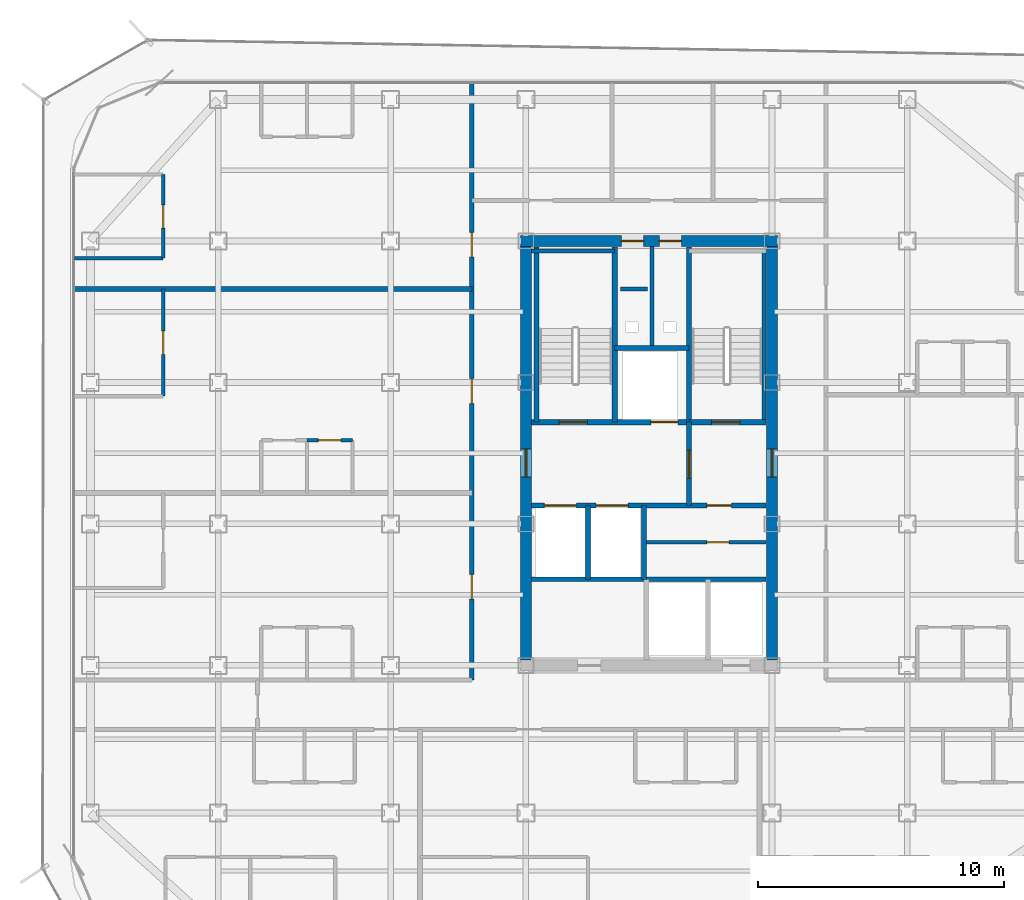
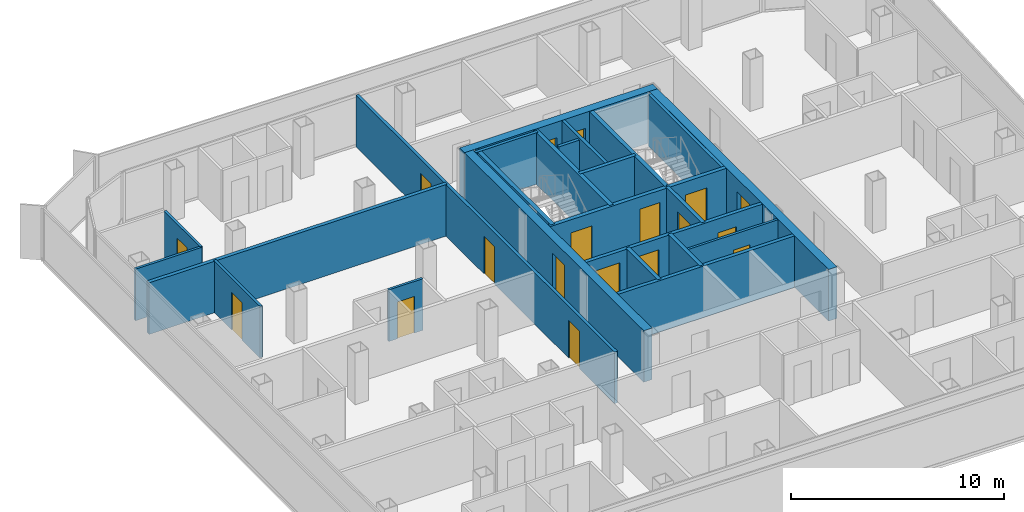
# One storey, part 11 of 16: 25 walls, 18 doors, 18 openings.
"""IFC4 building model written with IfcOpenShell, lengths in metres."""

from ifc_helpers import new_model, si_unit, direction, frame, frame_2d, origin, place, context, subcontext, project, spatial, rectangle, extrude, material, layer, layer_set, type_object, element, fill, save


model = new_model("IFC4")

# Units and contexts
model_context = context("Model", 3, precision=1e-05, world=origin(), true_north=direction((0.0, 1.0)))
body_context = subcontext(model_context, "Body", "Model", "MODEL_VIEW")
ifc_project = project(units=[si_unit("LENGTHUNIT", "METRE"), si_unit("AREAUNIT", "SQUARE_METRE"), si_unit("VOLUMEUNIT", "CUBIC_METRE"), si_unit("PLANEANGLEUNIT", "RADIAN"), si_unit("MASSUNIT", "GRAM", prefix="KILO")], contexts=[model_context])

# Site, building, storey
site_placement = place(None, origin())
site = spatial("IfcSite", under=ifc_project, at=site_placement, CompositionType="ELEMENT")
building_placement = place(site_placement, origin())
building = spatial("IfcBuilding", under=site, at=building_placement, Name="Kolveth Station Tower", CompositionType="ELEMENT")
storey_placement = place(building_placement, frame((0.0, 0.0, 156.10009765625)))
storey = spatial("IfcBuildingStorey", under=building, at=storey_placement, Name="L43", CompositionType="ELEMENT", Elevation=156.10009765625)

# Wall, openings, doors
ifc_material_1 = material(Name="Concrete C50/60", Category="concrete")
ifc_layer_1 = layer(ifc_material_1, 0.449951171875)
ifc_layer_set_1 = layer_set([ifc_layer_1], Name="Concrete C50/60")
wall_type_1 = type_object("IfcWallType", Name="Wall_CW-450", PredefinedType="SHEAR", material=ifc_layer_set_1)
wall_1_placement = place(storey_placement, frame((18.27490234375, 28.75, 0.0), z_axis=(0.0, 0.0, 1.0), x_axis=(1.0, 0.0, 0.0)))
wall_1 = element("IfcWall", 1, at=wall_1_placement, inside=storey, type_object=wall_type_1, Name="L43 Core RC Shear Wall N", PredefinedType="SHEAR", context=body_context, shape_type="SweptSolid", body=[
    extrude(rectangle(XDim=10.4501953125, YDim=0.449951171875, at=frame_2d((5.22509765625, 0.0))), origin(), (0.0, 0.0, 1.0), 2.949951171875),
])
opening_1_placement = place(wall_1_placement, frame((4.10498046875, 0.0, 0.0)))
opening_1 = element("IfcOpeningElement", 2, at=opening_1_placement, cuts=wall_1, Name="Opening RD1", PredefinedType="OPENING", context=body_context, shape_type="SweptSolid", body=[
    extrude(rectangle(XDim=0.89990234375, YDim=2.050048828125, at=frame_2d((0.449951171875, 1.02490234375))), frame((0.0, 0.23486328125, 0.0), z_axis=(0.0, -1.0, 0.0), x_axis=(1.0, 0.0, 0.0)), (0.0, 0.0, 1.0), 0.469970703125),
])
opening_2_placement = place(wall_1_placement, frame((5.64501953125, 0.0, 0.0)))
opening_2 = element("IfcOpeningElement", 3, at=opening_2_placement, cuts=wall_1, Name="Opening RD1", PredefinedType="OPENING", context=body_context, shape_type="SweptSolid", body=[
    extrude(rectangle(XDim=0.89990234375, YDim=2.050048828125, at=frame_2d((0.449951171875, 1.02490234375))), frame((0.0, 0.23486328125, 0.0), z_axis=(0.0, -1.0, 0.0), x_axis=(1.0, 0.0, 0.0)), (0.0, 0.0, 1.0), 0.469970703125),
])
ifc_material_2 = material(Name="Fire-rated Steel S355 riser access leaf", Category="steel")
door_type_1 = type_object("IfcDoorType", Name="Door_RD1", OperationType="NOTDEFINED", PredefinedType="DOOR", material=ifc_material_2)
door_1_placement = place(opening_1_placement, origin())
door_1 = element("IfcDoor", 4, at=door_1_placement, inside=storey, type_object=door_type_1, Name="L43 Electrical Riser Access Door", OperationType="SINGLE_SWING_LEFT", OverallHeight=2.050048828125, OverallWidth=0.89990234375, PredefinedType="DOOR", context=body_context, shape_type="SweptSolid", body=[
    extrude(rectangle(XDim=0.89990234375, YDim=2.050048828125, at=frame_2d((0.449951171875, 1.02490234375))), frame((0.0, 0.02490234375, 0.0), z_axis=(0.0, -1.0, 0.0), x_axis=(1.0, 0.0, 0.0)), (0.0, 0.0, 1.0), 0.050048828125),
])
fill(opening_1, door_1)
door_2_placement = place(opening_2_placement, origin())
door_2 = element("IfcDoor", 5, at=door_2_placement, inside=storey, type_object=door_type_1, Name="L43 Smoke Duct Access Door", OperationType="SINGLE_SWING_RIGHT", OverallHeight=2.050048828125, OverallWidth=0.89990234375, PredefinedType="DOOR", context=body_context, shape_type="SweptSolid", body=[
    extrude(rectangle(XDim=0.89990234375, YDim=2.050048828125, at=frame_2d((0.449951171875, 1.02490234375))), frame((0.0, 0.02490234375, 0.0), z_axis=(0.0, -1.0, 0.0), x_axis=(1.0, 0.0, 0.0)), (0.0, 0.0, 1.0), 0.050048828125),
])
fill(opening_2, door_2)

# Wall, opening, door
wall_2_placement = place(storey_placement, frame((18.5, 11.72509765625, 0.0), z_axis=(0.0, 0.0, 1.0), x_axis=(0.0, 1.0, 0.0)))
wall_2 = element("IfcWall", 6, at=wall_2_placement, inside=storey, type_object=wall_type_1, Name="L43 Core RC Shear Wall W", PredefinedType="SHEAR", context=body_context, shape_type="SweptSolid", body=[
    extrude(rectangle(XDim=16.7998046875, YDim=0.449951171875, at=frame_2d((8.39990234375, 0.0))), origin(), (0.0, 0.0, 1.0), 2.949951171875),
])
opening_3_placement = place(wall_2_placement, frame((7.425048828125, 0.0, 0.0)))
opening_3 = element("IfcOpeningElement", 7, at=opening_3_placement, cuts=wall_2, Name="Opening FD1", PredefinedType="OPENING", context=body_context, shape_type="SweptSolid", body=[
    extrude(rectangle(XDim=1.14990234375, YDim=2.199951171875, at=frame_2d((0.574951171875, 1.10009765625))), frame((0.0, 0.23486328125, 0.0), z_axis=(0.0, -1.0, 0.0), x_axis=(1.0, 0.0, 0.0)), (0.0, 0.0, 1.0), 0.469970703125),
])
ifc_material_3 = material(Name="Fire-rated Steel S355 leaf and frame", Category="steel")
door_type_2 = type_object("IfcDoorType", Name="Door_FD1", OperationType="NOTDEFINED", PredefinedType="DOOR", material=ifc_material_3)
door_3_placement = place(opening_3_placement, frame((1.14990234375, 0.0, 0.0), z_axis=(0.0, 0.0, 1.0), x_axis=(-1.0, 0.0, 0.0)))
door_3 = element("IfcDoor", 8, at=door_3_placement, inside=storey, type_object=door_type_2, Name="L43 West Corridor to Firefighting Lobby Door", OperationType="SINGLE_SWING_LEFT", OverallHeight=2.199951171875, OverallWidth=1.14990234375, PredefinedType="DOOR", context=body_context, shape_type="SweptSolid", body=[
    extrude(rectangle(XDim=1.14990234375, YDim=2.199951171875, at=frame_2d((0.574951171875, 1.10009765625))), frame((0.0, 0.02490234375, 0.0), z_axis=(0.0, -1.0, 0.0), x_axis=(1.0, 0.0, 0.0)), (0.0, 0.0, 1.0), 0.050048828125),
])
fill(opening_3, door_3)

wall_3_placement = place(storey_placement, frame((28.5, 11.72509765625, 0.0), z_axis=(0.0, 0.0, 1.0), x_axis=(0.0, 1.0, 0.0)))
wall_3 = element("IfcWall", 9, at=wall_3_placement, inside=storey, type_object=wall_type_1, Name="L43 Core RC Shear Wall E", PredefinedType="SHEAR", context=body_context, shape_type="SweptSolid", body=[
    extrude(rectangle(XDim=16.7998046875, YDim=0.449951171875, at=frame_2d((8.39990234375, 0.0))), origin(), (0.0, 0.0, 1.0), 2.949951171875),
])
opening_4_placement = place(wall_3_placement, frame((7.425048828125, 0.0, 0.0)))
opening_4 = element("IfcOpeningElement", 10, at=opening_4_placement, cuts=wall_3, Name="Opening FD1", PredefinedType="OPENING", context=body_context, shape_type="SweptSolid", body=[
    extrude(rectangle(XDim=1.14990234375, YDim=2.199951171875, at=frame_2d((0.574951171875, 1.10009765625))), frame((0.0, 0.23486328125, 0.0), z_axis=(0.0, -1.0, 0.0), x_axis=(1.0, 0.0, 0.0)), (0.0, 0.0, 1.0), 0.469970703125),
])
door_4_placement = place(opening_4_placement, origin())
door_4 = element("IfcDoor", 11, at=door_4_placement, inside=storey, type_object=door_type_2, Name="L43 East Corridor to Stair Lobby Door", OperationType="SINGLE_SWING_RIGHT", OverallHeight=2.199951171875, OverallWidth=1.14990234375, PredefinedType="DOOR", context=body_context, shape_type="SweptSolid", body=[
    extrude(rectangle(XDim=1.14990234375, YDim=2.199951171875, at=frame_2d((0.574951171875, 1.10009765625))), frame((0.0, 0.02490234375, 0.0), z_axis=(0.0, -1.0, 0.0), x_axis=(1.0, 0.0, 0.0)), (0.0, 0.0, 1.0), 0.050048828125),
])
fill(opening_4, door_4)

ifc_material_4 = material(Name="Moisture-resistant gypsum partition")
ifc_layer_2 = layer(ifc_material_4, 0.135009765625)
ifc_layer_set_2 = layer_set([ifc_layer_2], Name="Moisture-resistant gypsum partition")
wall_type_2 = type_object("IfcWallType", Name="Wall_IW-135", PredefinedType="PARTITIONING", material=ifc_layer_set_2)
wall_4_placement = place(storey_placement, frame((23.300048828125, 16.5, 0.0), z_axis=(0.0, 0.0, 1.0), x_axis=(1.0, 0.0, 0.0)))
wall_4 = element("IfcWall", 12, at=wall_4_placement, inside=storey, type_object=wall_type_2, Name="L43 Partition Wall WL-L43-CB-H1", PredefinedType="PARTITIONING", context=body_context, shape_type="SweptSolid", body=[
    extrude(rectangle(XDim=4.96484375, YDim=0.135009765625, at=frame_2d((2.482421875, 0.0))), origin(), (0.0, 0.0, 1.0), 2.949951171875),
])
opening_5_placement = place(wall_4_placement, frame((2.550048828125, 0.0, 0.0)))
opening_5 = element("IfcOpeningElement", 13, at=opening_5_placement, cuts=wall_4, Name="Opening RD1", PredefinedType="OPENING", context=body_context, shape_type="SweptSolid", body=[
    extrude(rectangle(XDim=0.89990234375, YDim=2.050048828125, at=frame_2d((0.449951171875, 1.02490234375))), frame((0.0, 0.077392578125, 0.0), z_axis=(0.0, -1.0, 0.0), x_axis=(1.0, 0.0, 0.0)), (0.0, 0.0, 1.0), 0.155029296875),
])
door_5_placement = place(opening_5_placement, frame((0.89990234375, 0.0, 0.0), z_axis=(0.0, 0.0, 1.0), x_axis=(-1.0, 0.0, 0.0)))
door_5 = element("IfcDoor", 14, at=door_5_placement, inside=storey, type_object=door_type_1, Name="L43 Core Equipment Store Door", OperationType="SINGLE_SWING_LEFT", OverallHeight=2.050048828125, OverallWidth=0.89990234375, PredefinedType="DOOR", context=body_context, shape_type="SweptSolid", body=[
    extrude(rectangle(XDim=0.89990234375, YDim=2.050048828125, at=frame_2d((0.449951171875, 1.02490234375))), frame((0.0, 0.02490234375, 0.0), z_axis=(0.0, -1.0, 0.0), x_axis=(1.0, 0.0, 0.0)), (0.0, 0.0, 1.0), 0.050048828125),
])
fill(opening_5, door_5)

wall_5_placement = place(storey_placement, frame((9.60009765625, 20.64990234375, 0.0), z_axis=(0.0, 0.0, 1.0), x_axis=(1.0, 0.0, 0.0)))
wall_5 = element("IfcWall", 15, at=wall_5_placement, inside=storey, type_object=wall_type_2, Name="L43 Partition Wall WL-L43-W2-IBHB", PredefinedType="PARTITIONING", context=body_context, shape_type="SweptSolid", body=[
    extrude(rectangle(XDim=1.849853515625, YDim=0.135009765625, at=frame_2d((0.9248046875, 0.0))), origin(), (0.0, 0.0, 1.0), 2.949951171875),
])
opening_6_placement = place(wall_5_placement, frame((0.465087890625, 0.0, 0.0)))
opening_6 = element("IfcOpeningElement", 16, at=opening_6_placement, cuts=wall_5, Name="Opening ID2", PredefinedType="OPENING", context=body_context, shape_type="SweptSolid", body=[
    extrude(rectangle(XDim=0.919921875, YDim=2.10009765625, at=frame_2d((0.4599609375, 1.050048828125))), frame((0.0, 0.077392578125, 0.0), z_axis=(0.0, -1.0, 0.0), x_axis=(1.0, 0.0, 0.0)), (0.0, 0.0, 1.0), 0.155029296875),
])
ifc_material_5 = material(Name="Moisture-resistant hardwood leaf", Category="wood")
door_type_3 = type_object("IfcDoorType", Name="Door_ID2", OperationType="NOTDEFINED", PredefinedType="DOOR", material=ifc_material_5)
door_6_placement = place(opening_6_placement, origin())
door_6 = element("IfcDoor", 17, at=door_6_placement, inside=storey, type_object=door_type_3, Name="Penthouse Flat L43-W2 Bathroom Door", OperationType="SINGLE_SWING_LEFT", OverallHeight=2.10009765625, OverallWidth=0.919921875, PredefinedType="DOOR", context=body_context, shape_type="SweptSolid", body=[
    extrude(rectangle(XDim=0.919921875, YDim=2.10009765625, at=frame_2d((0.4599609375, 1.050048828125))), frame((0.0, 0.02490234375, 0.0), z_axis=(0.0, -1.0, 0.0), x_axis=(1.0, 0.0, 0.0)), (0.0, 0.0, 1.0), 0.050048828125),
])
fill(opening_6, door_6)

wall_6_placement = place(storey_placement, frame((3.760009765625, 22.444091796875, 0.0), z_axis=(0.0, 0.0, 1.0), x_axis=(0.0, 1.0, 0.0)))
wall_6 = element("IfcWall", 18, at=wall_6_placement, inside=storey, type_object=wall_type_2, Name="L43 Partition Wall WL-L43-W2-BDV1", PredefinedType="PARTITIONING", context=body_context, shape_type="SweptSolid", body=[
    extrude(rectangle(XDim=4.35595703125, YDim=0.135009765625, at=frame_2d((2.177978515625, 0.0))), origin(), (0.0, 0.0, 1.0), 2.949951171875),
])
opening_7_placement = place(wall_6_placement, frame((1.697998046875, 0.0, 0.0)))
opening_7 = element("IfcOpeningElement", 19, at=opening_7_placement, cuts=wall_6, Name="Opening ID1", PredefinedType="OPENING", context=body_context, shape_type="SweptSolid", body=[
    extrude(rectangle(XDim=0.949951171875, YDim=2.14990234375, at=frame_2d((0.47509765625, 1.074951171875))), frame((0.0, 0.077392578125, 0.0), z_axis=(0.0, -1.0, 0.0), x_axis=(1.0, 0.0, 0.0)), (0.0, 0.0, 1.0), 0.155029296875),
])
ifc_material_6 = material(Name="Acoustic hardwood leaf and aluminium frame", Category="wood")
door_type_4 = type_object("IfcDoorType", Name="Door_ID1", OperationType="NOTDEFINED", PredefinedType="DOOR", material=ifc_material_6)
door_7_placement = place(opening_7_placement, origin())
door_7 = element("IfcDoor", 20, at=door_7_placement, inside=storey, type_object=door_type_4, Name="Penthouse Flat L43-W2 Bedroom 1 Door", OperationType="SINGLE_SWING_RIGHT", OverallHeight=2.14990234375, OverallWidth=0.949951171875, PredefinedType="DOOR", context=body_context, shape_type="SweptSolid", body=[
    extrude(rectangle(XDim=0.949951171875, YDim=2.14990234375, at=frame_2d((0.47509765625, 1.074951171875))), frame((0.0, 0.02490234375, 0.0), z_axis=(0.0, -1.0, 0.0), x_axis=(1.0, 0.0, 0.0)), (0.0, 0.0, 1.0), 0.050048828125),
])
fill(opening_7, door_7)

# Wall
wall_7_placement = place(storey_placement, frame((0.159912109375, 28.050048828125, 0.0), z_axis=(0.0, 0.0, 1.0), x_axis=(1.0, 0.0, 0.0)))
element("IfcWall", 21, at=wall_7_placement, inside=storey, type_object=wall_type_2, Name="L43 Partition Wall WL-L43-W3-BDH0", PredefinedType="PARTITIONING", context=body_context, shape_type="SweptSolid", body=[
    extrude(rectangle(XDim=3.60009765625, YDim=0.135009765625, at=frame_2d((1.800048828125, 0.0))), origin(), (0.0, 0.0, 1.0), 2.949951171875),
])

# Wall, opening, door
wall_8_placement = place(storey_placement, frame((3.760009765625, 28.050048828125, 0.0), z_axis=(0.0, 0.0, 1.0), x_axis=(0.0, 1.0, 0.0)))
wall_8 = element("IfcWall", 22, at=wall_8_placement, inside=storey, type_object=wall_type_2, Name="L43 Partition Wall WL-L43-W3-BDV1", PredefinedType="PARTITIONING", context=body_context, shape_type="SweptSolid", body=[
    extrude(rectangle(XDim=3.39990234375, YDim=0.135009765625, at=frame_2d((1.699951171875, 0.0))), origin(), (0.0, 0.0, 1.0), 2.949951171875),
])
opening_8_placement = place(wall_8_placement, frame((1.219970703125, 0.0, 0.0)))
opening_8 = element("IfcOpeningElement", 23, at=opening_8_placement, cuts=wall_8, Name="Opening ID1", PredefinedType="OPENING", context=body_context, shape_type="SweptSolid", body=[
    extrude(rectangle(XDim=0.949951171875, YDim=2.14990234375, at=frame_2d((0.47509765625, 1.074951171875))), frame((0.0, 0.077392578125, 0.0), z_axis=(0.0, -1.0, 0.0), x_axis=(1.0, 0.0, 0.0)), (0.0, 0.0, 1.0), 0.155029296875),
])
door_8_placement = place(opening_8_placement, origin())
door_8 = element("IfcDoor", 24, at=door_8_placement, inside=storey, type_object=door_type_4, Name="Penthouse Flat L43-W3 Bedroom 1 Door", OperationType="SINGLE_SWING_RIGHT", OverallHeight=2.14990234375, OverallWidth=0.949951171875, PredefinedType="DOOR", context=body_context, shape_type="SweptSolid", body=[
    extrude(rectangle(XDim=0.949951171875, YDim=2.14990234375, at=frame_2d((0.47509765625, 1.074951171875))), frame((0.0, 0.02490234375, 0.0), z_axis=(0.0, -1.0, 0.0), x_axis=(1.0, 0.0, 0.0)), (0.0, 0.0, 1.0), 0.050048828125),
])
fill(opening_8, door_8)

# Walls
ifc_material_7 = material(Name="Acoustic double-stud gypsum partition")
ifc_layer_3 = layer(ifc_material_7, 0.1650390625)
ifc_layer_set_3 = layer_set([ifc_layer_3], Name="Acoustic double-stud gypsum partition")
wall_type_3 = type_object("IfcWallType", Name="Wall_IW-165", PredefinedType="PARTITIONING", material=ifc_layer_set_3)
wall_9_placement = place(storey_placement, frame((18.735107421875, 28.3349609375, 0.0), z_axis=(0.0, 0.0, 1.0), x_axis=(1.0, 0.0, 0.0)))
element("IfcWall", 25, at=wall_9_placement, inside=storey, type_object=wall_type_3, Name="L43 Stair Shaft Wall WL-L43-ST1-N", PredefinedType="PARTITIONING", context=body_context, shape_type="SweptSolid", body=[
    extrude(rectangle(XDim=3.375, YDim=0.1650390625, at=frame_2d((1.6875, 0.0))), origin(), (0.0, 0.0, 1.0), 2.949951171875),
])
wall_10_placement = place(storey_placement, frame((28.1826171875, 21.389892578125, 0.0), z_axis=(0.0, 0.0, 1.0), x_axis=(0.0, 1.0, 0.0)))
element("IfcWall", 26, at=wall_10_placement, inside=storey, type_object=wall_type_3, Name="L43 Stair Shaft Wall WL-L43-ST2-E", PredefinedType="PARTITIONING", context=body_context, shape_type="SweptSolid", body=[
    extrude(rectangle(XDim=6.945068359375, YDim=0.1650390625, at=frame_2d((3.47265625, 0.0))), origin(), (0.0, 0.0, 1.0), 2.949951171875),
])
wall_11_placement = place(storey_placement, frame((23.6201171875, 24.39990234375, 0.0), z_axis=(0.0, 0.0, 1.0), x_axis=(0.0, 1.0, 0.0)))
element("IfcWall", 27, at=wall_11_placement, inside=storey, type_object=wall_type_3, Name="L43 Partition Wall WL-L43-RSR-M", PredefinedType="PARTITIONING", context=body_context, shape_type="SweptSolid", body=[
    extrude(rectangle(XDim=4.114990234375, YDim=0.1650390625, at=frame_2d((2.0576171875, 0.0))), origin(), (0.0, 0.0, 1.0), 2.949951171875),
])

# Wall, openings, doors
wall_12_placement = place(storey_placement, frame((16.300048828125, 10.89990234375, 0.0), z_axis=(0.0, 0.0, 1.0), x_axis=(0.0, 1.0, 0.0)))
wall_12 = element("IfcWall", 28, at=wall_12_placement, inside=storey, type_object=wall_type_3, Name="L43 Partition Wall WL-L43-RW", PredefinedType="PARTITIONING", context=body_context, shape_type="SweptSolid", body=[
    extrude(rectangle(XDim=24.239990234375, YDim=0.1650390625, at=frame_2d((12.1201171875, 0.0))), origin(), (0.0, 0.0, 1.0), 2.949951171875),
])
opening_9_placement = place(wall_12_placement, frame((3.300048828125, 0.0, 0.0)))
opening_9 = element("IfcOpeningElement", 29, at=opening_9_placement, cuts=wall_12, Name="Opening FD3", PredefinedType="OPENING", context=body_context, shape_type="SweptSolid", body=[
    extrude(rectangle(XDim=1.0, YDim=2.14990234375, at=frame_2d((0.5, 1.074951171875))), frame((0.0, 0.092529296875, 0.0), z_axis=(0.0, -1.0, 0.0), x_axis=(1.0, 0.0, 0.0)), (0.0, 0.0, 1.0), 0.18505859375),
])
opening_10_placement = place(wall_12_placement, frame((11.25, 0.0, 0.0)))
opening_10 = element("IfcOpeningElement", 30, at=opening_10_placement, cuts=wall_12, Name="Opening FD3", PredefinedType="OPENING", context=body_context, shape_type="SweptSolid", body=[
    extrude(rectangle(XDim=1.0, YDim=2.14990234375, at=frame_2d((0.5, 1.074951171875))), frame((0.0, 0.092529296875, 0.0), z_axis=(0.0, -1.0, 0.0), x_axis=(1.0, 0.0, 0.0)), (0.0, 0.0, 1.0), 0.18505859375),
])
opening_11_placement = place(wall_12_placement, frame((17.199951171875, 0.0, 0.0)))
opening_11 = element("IfcOpeningElement", 31, at=opening_11_placement, cuts=wall_12, Name="Opening FD3", PredefinedType="OPENING", context=body_context, shape_type="SweptSolid", body=[
    extrude(rectangle(XDim=1.0, YDim=2.14990234375, at=frame_2d((0.5, 1.074951171875))), frame((0.0, 0.092529296875, 0.0), z_axis=(0.0, -1.0, 0.0), x_axis=(1.0, 0.0, 0.0)), (0.0, 0.0, 1.0), 0.18505859375),
])
ifc_material_8 = material(Name="Fire-rated hardwood leaf and aluminium frame", Category="wood")
door_type_5 = type_object("IfcDoorType", Name="Door_FD3", OperationType="NOTDEFINED", PredefinedType="DOOR", material=ifc_material_8)
door_9_placement = place(opening_9_placement, origin())
door_9 = element("IfcDoor", 32, at=door_9_placement, inside=storey, type_object=door_type_5, Name="Penthouse Flat L43-W1 Entrance Door", OperationType="SINGLE_SWING_LEFT", OverallHeight=2.14990234375, OverallWidth=1.0, PredefinedType="DOOR", context=body_context, shape_type="SweptSolid", body=[
    extrude(rectangle(XDim=1.0, YDim=2.14990234375, at=frame_2d((0.5, 1.074951171875))), frame((0.0, 0.02490234375, 0.0), z_axis=(0.0, -1.0, 0.0), x_axis=(1.0, 0.0, 0.0)), (0.0, 0.0, 1.0), 0.050048828125),
])
fill(opening_9, door_9)
door_10_placement = place(opening_10_placement, origin())
door_10 = element("IfcDoor", 33, at=door_10_placement, inside=storey, type_object=door_type_5, Name="Penthouse Flat L43-W2 Entrance Door", OperationType="SINGLE_SWING_LEFT", OverallHeight=2.14990234375, OverallWidth=1.0, PredefinedType="DOOR", context=body_context, shape_type="SweptSolid", body=[
    extrude(rectangle(XDim=1.0, YDim=2.14990234375, at=frame_2d((0.5, 1.074951171875))), frame((0.0, 0.02490234375, 0.0), z_axis=(0.0, -1.0, 0.0), x_axis=(1.0, 0.0, 0.0)), (0.0, 0.0, 1.0), 0.050048828125),
])
fill(opening_10, door_10)
door_11_placement = place(opening_11_placement, origin())
door_11 = element("IfcDoor", 34, at=door_11_placement, inside=storey, type_object=door_type_5, Name="Penthouse Flat L43-W3 Entrance Door", OperationType="SINGLE_SWING_LEFT", OverallHeight=2.14990234375, OverallWidth=1.0, PredefinedType="DOOR", context=body_context, shape_type="SweptSolid", body=[
    extrude(rectangle(XDim=1.0, YDim=2.14990234375, at=frame_2d((0.5, 1.074951171875))), frame((0.0, 0.02490234375, 0.0), z_axis=(0.0, -1.0, 0.0), x_axis=(1.0, 0.0, 0.0)), (0.0, 0.0, 1.0), 0.050048828125),
])
fill(opening_11, door_11)

# Walls
wall_13_placement = place(storey_placement, frame((22.35009765625, 26.800048828125, 0.0), z_axis=(0.0, 0.0, 1.0), x_axis=(1.0, 0.0, 0.0)))
element("IfcWall", 35, at=wall_13_placement, inside=storey, type_object=wall_type_3, Name="L43 Acoustic Riser Dry-Lining Wall", PredefinedType="PARTITIONING", context=body_context, shape_type="SweptSolid", body=[
    extrude(rectangle(XDim=1.099853515625, YDim=0.1650390625, at=frame_2d((0.5498046875, 0.0))), origin(), (0.0, 0.0, 1.0), 2.949951171875),
])
ifc_material_9 = material(Name="Acoustic fire-rated gypsum blockwork", Category="masonry")
ifc_layer_4 = layer(ifc_material_9, 0.199951171875)
ifc_layer_set_4 = layer_set([ifc_layer_4], Name="Acoustic fire-rated gypsum blockwork")
wall_type_4 = type_object("IfcWallType", Name="Wall_IW-200", PredefinedType="PARTITIONING", material=ifc_layer_set_4)
wall_14_placement = place(storey_placement, frame((22.110107421875, 24.39990234375, 0.0), z_axis=(0.0, 0.0, 1.0), x_axis=(1.0, 0.0, 0.0)))
element("IfcWall", 36, at=wall_14_placement, inside=storey, type_object=wall_type_4, Name="L43 Partition Wall WL-L43-RSR-S", PredefinedType="PARTITIONING", context=body_context, shape_type="SweptSolid", body=[
    extrude(rectangle(XDim=3.019775390625, YDim=0.199951171875, at=frame_2d((1.509765625, 0.0))), origin(), (0.0, 0.0, 1.0), 2.949951171875),
])

# Wall, opening, door
wall_15_placement = place(storey_placement, frame((25.1298828125, 18.0, 0.0), z_axis=(0.0, 0.0, 1.0), x_axis=(0.0, 1.0, 0.0)))
wall_15 = element("IfcWall", 37, at=wall_15_placement, inside=storey, type_object=wall_type_4, Name="L43 Partition Wall WL-L43-FFL-E", PredefinedType="PARTITIONING", context=body_context, shape_type="SweptSolid", body=[
    extrude(rectangle(XDim=3.389892578125, YDim=0.199951171875, at=frame_2d((1.69482421875, 0.0))), origin(), (0.0, 0.0, 1.0), 2.949951171875),
])
opening_12_placement = place(wall_15_placement, frame((1.10009765625, 0.0, 0.0)))
opening_12 = element("IfcOpeningElement", 38, at=opening_12_placement, cuts=wall_15, Name="Opening FD1", PredefinedType="OPENING", context=body_context, shape_type="SweptSolid", body=[
    extrude(rectangle(XDim=1.14990234375, YDim=2.199951171875, at=frame_2d((0.574951171875, 1.10009765625))), frame((0.0, 0.10986328125, 0.0), z_axis=(0.0, -1.0, 0.0), x_axis=(1.0, 0.0, 0.0)), (0.0, 0.0, 1.0), 0.219970703125),
])
door_12_placement = place(opening_12_placement, origin())
door_12 = element("IfcDoor", 39, at=door_12_placement, inside=storey, type_object=door_type_2, Name="L43 Firefighting to Stair Lobby Door", OperationType="SINGLE_SWING_RIGHT", OverallHeight=2.199951171875, OverallWidth=1.14990234375, PredefinedType="DOOR", context=body_context, shape_type="SweptSolid", body=[
    extrude(rectangle(XDim=1.14990234375, YDim=2.199951171875, at=frame_2d((0.574951171875, 1.10009765625))), frame((0.0, 0.02490234375, 0.0), z_axis=(0.0, -1.0, 0.0), x_axis=(1.0, 0.0, 0.0)), (0.0, 0.0, 1.0), 0.050048828125),
])
fill(opening_12, door_12)

# Wall, openings, doors
wall_16_placement = place(storey_placement, frame((18.735107421875, 18.0, 0.0), z_axis=(0.0, 0.0, 1.0), x_axis=(1.0, 0.0, 0.0)))
wall_16 = element("IfcWall", 40, at=wall_16_placement, inside=storey, type_object=wall_type_4, Name="L43 Partition Wall WL-L43-FFL-S", PredefinedType="PARTITIONING", context=body_context, shape_type="SweptSolid", body=[
    extrude(rectangle(XDim=9.52978515625, YDim=0.199951171875, at=frame_2d((4.764892578125, 0.0))), origin(), (0.0, 0.0, 1.0), 2.949951171875),
])
opening_13_placement = place(wall_16_placement, frame((0.514892578125, 0.0, 0.0)))
opening_13 = element("IfcOpeningElement", 41, at=opening_13_placement, cuts=wall_16, Name="Opening LD2", PredefinedType="OPENING", context=body_context, shape_type="SweptSolid", body=[
    extrude(rectangle(XDim=1.300048828125, YDim=2.300048828125, at=frame_2d((0.64990234375, 1.14990234375))), frame((0.0, 0.10986328125, 0.0), z_axis=(0.0, -1.0, 0.0), x_axis=(1.0, 0.0, 0.0)), (0.0, 0.0, 1.0), 0.219970703125),
])
opening_14_placement = place(wall_16_placement, frame((2.614990234375, 0.0, 0.0)))
opening_14 = element("IfcOpeningElement", 42, at=opening_14_placement, cuts=wall_16, Name="Opening LD2", PredefinedType="OPENING", context=body_context, shape_type="SweptSolid", body=[
    extrude(rectangle(XDim=1.300048828125, YDim=2.300048828125, at=frame_2d((0.64990234375, 1.14990234375))), frame((0.0, 0.10986328125, 0.0), z_axis=(0.0, -1.0, 0.0), x_axis=(1.0, 0.0, 0.0)), (0.0, 0.0, 1.0), 0.219970703125),
])
opening_15_placement = place(wall_16_placement, frame((7.114990234375, 0.0, 0.0)))
opening_15 = element("IfcOpeningElement", 43, at=opening_15_placement, cuts=wall_16, Name="Opening FD3", PredefinedType="OPENING", context=body_context, shape_type="SweptSolid", body=[
    extrude(rectangle(XDim=1.0, YDim=2.14990234375, at=frame_2d((0.5, 1.074951171875))), frame((0.0, 0.10986328125, 0.0), z_axis=(0.0, -1.0, 0.0), x_axis=(1.0, 0.0, 0.0)), (0.0, 0.0, 1.0), 0.219970703125),
])
door_13_placement = place(opening_15_placement, frame((1.0, 0.0, 0.0), z_axis=(0.0, 0.0, 1.0), x_axis=(-1.0, 0.0, 0.0)))
door_13 = element("IfcDoor", 44, at=door_13_placement, inside=storey, type_object=door_type_5, Name="L43 Core Linen and Supply Store Door", OperationType="SINGLE_SWING_LEFT", OverallHeight=2.14990234375, OverallWidth=1.0, PredefinedType="DOOR", context=body_context, shape_type="SweptSolid", body=[
    extrude(rectangle(XDim=1.0, YDim=2.14990234375, at=frame_2d((0.5, 1.074951171875))), frame((0.0, 0.02490234375, 0.0), z_axis=(0.0, -1.0, 0.0), x_axis=(1.0, 0.0, 0.0)), (0.0, 0.0, 1.0), 0.050048828125),
])
fill(opening_15, door_13)
ifc_material_10 = material(Name="Firefighting stainless steel sliding landing doors", Category="steel")
door_type_6 = type_object("IfcDoorType", Name="Door_LD2", OperationType="NOTDEFINED", PredefinedType="DOOR", material=ifc_material_10)
door_14_placement = place(opening_13_placement, origin())
door_14 = element("IfcDoor", 45, at=door_14_placement, inside=storey, type_object=door_type_6, Name="L43 Firefighting Lift FF1 Landing Door", OperationType="DOUBLE_DOOR_SLIDING", OverallHeight=2.300048828125, OverallWidth=1.300048828125, PredefinedType="DOOR", context=body_context, shape_type="SweptSolid", body=[
    extrude(rectangle(XDim=1.300048828125, YDim=2.300048828125, at=frame_2d((0.64990234375, 1.14990234375))), frame((0.0, 0.02490234375, 0.0), z_axis=(0.0, -1.0, 0.0), x_axis=(1.0, 0.0, 0.0)), (0.0, 0.0, 1.0), 0.050048828125),
])
fill(opening_13, door_14)
door_15_placement = place(opening_14_placement, origin())
door_15 = element("IfcDoor", 46, at=door_15_placement, inside=storey, type_object=door_type_6, Name="L43 Firefighting Lift FF2 Landing Door", OperationType="DOUBLE_DOOR_SLIDING", OverallHeight=2.300048828125, OverallWidth=1.300048828125, PredefinedType="DOOR", context=body_context, shape_type="SweptSolid", body=[
    extrude(rectangle(XDim=1.300048828125, YDim=2.300048828125, at=frame_2d((0.64990234375, 1.14990234375))), frame((0.0, 0.02490234375, 0.0), z_axis=(0.0, -1.0, 0.0), x_axis=(1.0, 0.0, 0.0)), (0.0, 0.0, 1.0), 0.050048828125),
])
fill(opening_14, door_15)

# Walls
for number, where, z_axis, x_axis, name in (
    (47, (21.02001953125, 15.0, 0.0), (0.0, 0.0, 1.0), (0.0, 1.0, 0.0), "L43 Partition Wall WL-L43-FF12"),
    (48, (23.300048828125, 15.0, 0.0), (0.0, 0.0, 1.0), (0.0, 1.0, 0.0), "L43 Partition Wall WL-L43-FF2E"),
):
    element("IfcWall", number, at=place(storey_placement, frame(where, z_axis=z_axis, x_axis=x_axis)), inside=storey, type_object=wall_type_4, Name=name, PredefinedType="PARTITIONING", context=body_context, shape_type="SweptSolid", body=[
        extrude(rectangle(XDim=3.0, YDim=0.199951171875, at=frame_2d((1.5, 0.0))), origin(), (0.0, 0.0, 1.0), 2.949951171875),
    ])
wall_17_placement = place(storey_placement, frame((18.735107421875, 15.0, 0.0), z_axis=(0.0, 0.0, 1.0), x_axis=(1.0, 0.0, 0.0)))
element("IfcWall", 49, at=wall_17_placement, inside=storey, type_object=wall_type_4, Name="L43 Partition Wall WL-L43-BOH-S", PredefinedType="PARTITIONING", context=body_context, shape_type="SweptSolid", body=[
    extrude(rectangle(XDim=9.52978515625, YDim=0.199951171875, at=frame_2d((4.764892578125, 0.0))), origin(), (0.0, 0.0, 1.0), 2.949951171875),
])
wall_18_placement = place(storey_placement, frame((0.159912109375, 26.800048828125, 0.0), z_axis=(0.0, 0.0, 1.0), x_axis=(1.0, 0.0, 0.0)))
element("IfcWall", 50, at=wall_18_placement, inside=storey, type_object=wall_type_4, Name="L43 Partition Wall WL-L43-RWU-2", PredefinedType="PARTITIONING", context=body_context, shape_type="SweptSolid", body=[
    extrude(rectangle(XDim=16.14013671875, YDim=0.199951171875, at=frame_2d((8.070068359375, 0.0))), origin(), (0.0, 0.0, 1.0), 2.949951171875),
])
ifc_material_11 = material(Name="Concrete C40/50", Category="concrete")
ifc_layer_5 = layer(ifc_material_11, 0.219970703125)
ifc_layer_set_5 = layer_set([ifc_layer_5], Name="Concrete C40/50")
wall_type_5 = type_object("IfcWallType", Name="Wall_IW-220", PredefinedType="SOLIDWALL", material=ifc_layer_set_5)
for number, where, z_axis, x_axis, name in (
    (51, (18.929931640625, 21.389892578125, 0.0), (0.0, 0.0, 1.0), (0.0, 1.0, 0.0), "L43 Stair Shaft Wall WL-L43-ST1-W"),
    (52, (22.110107421875, 21.389892578125, 0.0), (0.0, 0.0, 1.0), (0.0, 1.0, 0.0), "L43 Stair Shaft Wall WL-L43-ST1-E"),
    (53, (25.1298828125, 21.389892578125, 0.0), (0.0, 0.0, 1.0), (0.0, 1.0, 0.0), "L43 Stair Shaft Wall WL-L43-ST2-W"),
):
    element("IfcWall", number, at=place(storey_placement, frame(where, z_axis=z_axis, x_axis=x_axis)), inside=storey, type_object=wall_type_5, Name=name, PredefinedType="SOLIDWALL", context=body_context, shape_type="SweptSolid", body=[
        extrude(rectangle(XDim=7.110107421875, YDim=0.219970703125, at=frame_2d((3.55517578125, 0.0))), origin(), (0.0, 0.0, 1.0), 2.949951171875),
    ])

# Wall, openings, doors
wall_19_placement = place(storey_placement, frame((18.735107421875, 21.389892578125, 0.0), z_axis=(0.0, 0.0, 1.0), x_axis=(1.0, 0.0, 0.0)))
wall_19 = element("IfcWall", 54, at=wall_19_placement, inside=storey, type_object=wall_type_5, Name="L43 Stair Shaft Wall WL-L43-ST1-S", PredefinedType="SOLIDWALL", context=body_context, shape_type="SweptSolid", body=[
    extrude(rectangle(XDim=6.394775390625, YDim=0.219970703125, at=frame_2d((3.197265625, 0.0))), origin(), (0.0, 0.0, 1.0), 2.949951171875),
])
opening_16_placement = place(wall_19_placement, frame((1.114990234375, 0.0, 0.0)))
opening_16 = element("IfcOpeningElement", 55, at=opening_16_placement, cuts=wall_19, Name="Opening FD1", PredefinedType="OPENING", context=body_context, shape_type="SweptSolid", body=[
    extrude(rectangle(XDim=1.14990234375, YDim=2.199951171875, at=frame_2d((0.574951171875, 1.10009765625))), frame((0.0, 0.119873046875, 0.0), z_axis=(0.0, -1.0, 0.0), x_axis=(1.0, 0.0, 0.0)), (0.0, 0.0, 1.0), 0.239990234375),
])
opening_17_placement = place(wall_19_placement, frame((4.844970703125, 0.0, 0.0)))
opening_17 = element("IfcOpeningElement", 56, at=opening_17_placement, cuts=wall_19, Name="Opening LD1", PredefinedType="OPENING", context=body_context, shape_type="SweptSolid", body=[
    extrude(rectangle(XDim=1.10009765625, YDim=2.25, at=frame_2d((0.550048828125, 1.125))), frame((0.0, 0.119873046875, 0.0), z_axis=(0.0, -1.0, 0.0), x_axis=(1.0, 0.0, 0.0)), (0.0, 0.0, 1.0), 0.239990234375),
])
door_16_placement = place(opening_16_placement, frame((1.14990234375, 0.0, 0.0), z_axis=(0.0, 0.0, 1.0), x_axis=(-1.0, 0.0, 0.0)))
door_16 = element("IfcDoor", 57, at=door_16_placement, inside=storey, type_object=door_type_2, Name="L43 Stair ST1 Fire Door", OperationType="SINGLE_SWING_RIGHT", OverallHeight=2.199951171875, OverallWidth=1.14990234375, PredefinedType="DOOR", context=body_context, shape_type="SweptSolid", body=[
    extrude(rectangle(XDim=1.14990234375, YDim=2.199951171875, at=frame_2d((0.574951171875, 1.10009765625))), frame((0.0, 0.02490234375, 0.0), z_axis=(0.0, -1.0, 0.0), x_axis=(1.0, 0.0, 0.0)), (0.0, 0.0, 1.0), 0.050048828125),
])
fill(opening_16, door_16)
ifc_material_12 = material(Name="Brushed stainless steel sliding landing doors", Category="steel")
door_type_7 = type_object("IfcDoorType", Name="Door_LD1", OperationType="NOTDEFINED", PredefinedType="DOOR", material=ifc_material_12)
door_17_placement = place(opening_17_placement, frame((1.10009765625, 0.0, 0.0), z_axis=(0.0, 0.0, 1.0), x_axis=(-1.0, 0.0, 0.0)))
door_17 = element("IfcDoor", 58, at=door_17_placement, inside=storey, type_object=door_type_7, Name="L43 Service Lift SV1 Landing Door", OperationType="DOUBLE_DOOR_SLIDING", OverallHeight=2.25, OverallWidth=1.10009765625, PredefinedType="DOOR", context=body_context, shape_type="SweptSolid", body=[
    extrude(rectangle(XDim=1.10009765625, YDim=2.25, at=frame_2d((0.550048828125, 1.125))), frame((0.0, 0.02490234375, 0.0), z_axis=(0.0, -1.0, 0.0), x_axis=(1.0, 0.0, 0.0)), (0.0, 0.0, 1.0), 0.050048828125),
])
fill(opening_17, door_17)

# Wall, opening, door
wall_20_placement = place(storey_placement, frame((25.1298828125, 21.389892578125, 0.0), z_axis=(0.0, 0.0, 1.0), x_axis=(1.0, 0.0, 0.0)))
wall_20 = element("IfcWall", 59, at=wall_20_placement, inside=storey, type_object=wall_type_5, Name="L43 Stair Shaft Wall WL-L43-ST2-S", PredefinedType="SOLIDWALL", context=body_context, shape_type="SweptSolid", body=[
    extrude(rectangle(XDim=3.135009765625, YDim=0.219970703125, at=frame_2d((1.5673828125, 0.0))), origin(), (0.0, 0.0, 1.0), 2.949951171875),
])
opening_18_placement = place(wall_20_placement, frame((0.919921875, 0.0, 0.0)))
opening_18 = element("IfcOpeningElement", 60, at=opening_18_placement, cuts=wall_20, Name="Opening FD1", PredefinedType="OPENING", context=body_context, shape_type="SweptSolid", body=[
    extrude(rectangle(XDim=1.14990234375, YDim=2.199951171875, at=frame_2d((0.574951171875, 1.10009765625))), frame((0.0, 0.119873046875, 0.0), z_axis=(0.0, -1.0, 0.0), x_axis=(1.0, 0.0, 0.0)), (0.0, 0.0, 1.0), 0.239990234375),
])
door_18_placement = place(opening_18_placement, frame((1.14990234375, 0.0, 0.0), z_axis=(0.0, 0.0, 1.0), x_axis=(-1.0, 0.0, 0.0)))
door_18 = element("IfcDoor", 61, at=door_18_placement, inside=storey, type_object=door_type_2, Name="L43 Stair ST2 Fire Door", OperationType="SINGLE_SWING_LEFT", OverallHeight=2.199951171875, OverallWidth=1.14990234375, PredefinedType="DOOR", context=body_context, shape_type="SweptSolid", body=[
    extrude(rectangle(XDim=1.14990234375, YDim=2.199951171875, at=frame_2d((0.574951171875, 1.10009765625))), frame((0.0, 0.02490234375, 0.0), z_axis=(0.0, -1.0, 0.0), x_axis=(1.0, 0.0, 0.0)), (0.0, 0.0, 1.0), 0.050048828125),
])
fill(opening_18, door_18)

save(model, "model.ifc")
